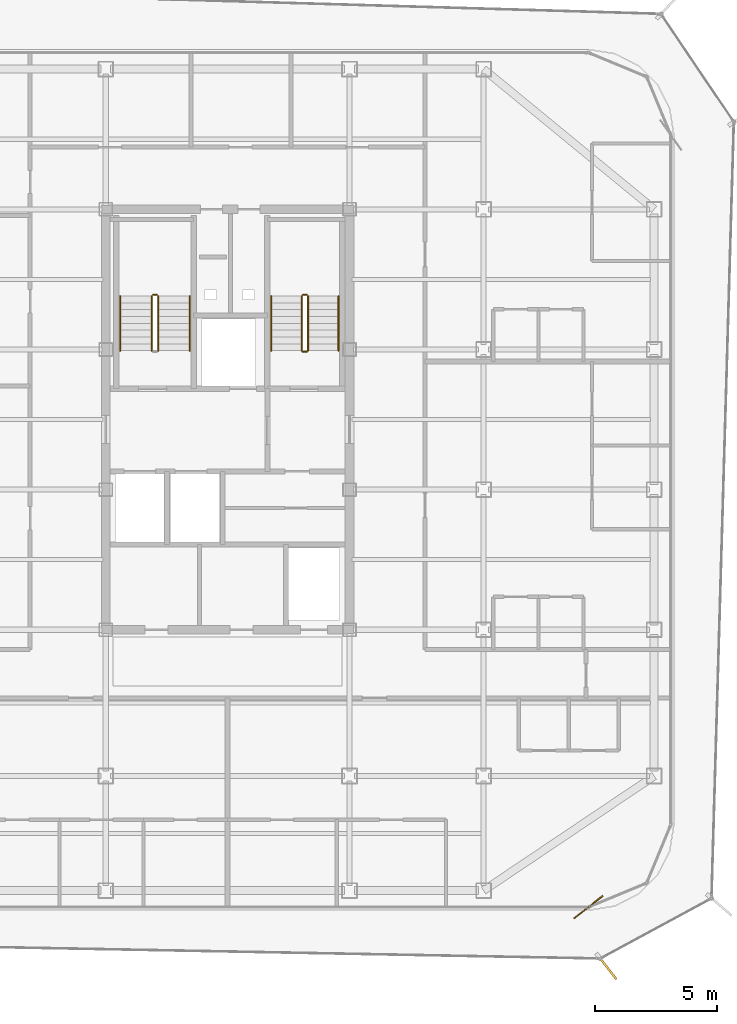
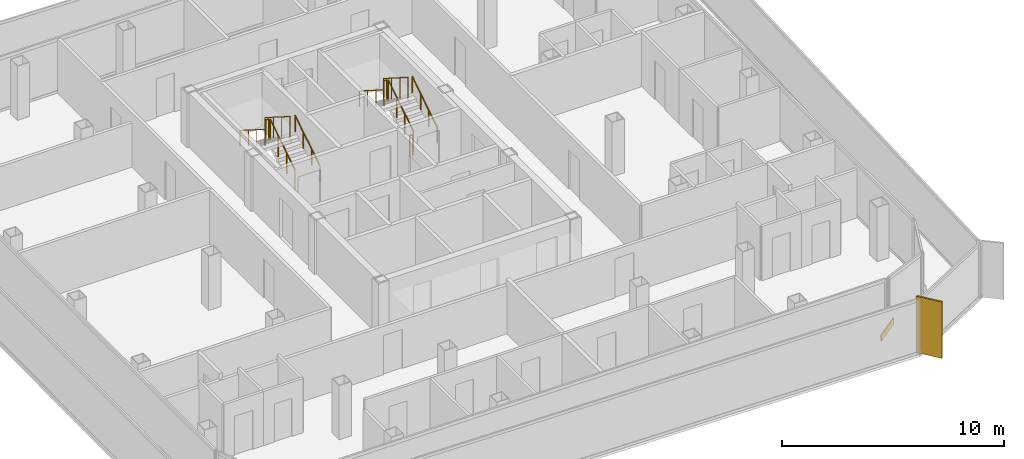
# One storey, part 14 of 15: 11 railings, 1 covering, 1 shading device.
"""IFC4 building model written with IfcOpenShell, lengths in metres."""

from ifc_helpers import new_model, si_unit, direction, frame, origin, origin_2d, place, context, subcontext, project, spatial, rectangle, circle, extrude, source, transform, mapped, material, layer, layer_set, type_object, element, save


model = new_model("IFC4")

# Units and contexts
model_context = context("Model", 3, precision=1e-05, world=origin(), true_north=direction((0.0, 1.0)))
body_context = subcontext(model_context, "Body", "Model", "MODEL_VIEW")
ifc_project = project(units=[si_unit("LENGTHUNIT", "METRE"), si_unit("AREAUNIT", "SQUARE_METRE"), si_unit("VOLUMEUNIT", "CUBIC_METRE"), si_unit("PLANEANGLEUNIT", "RADIAN"), si_unit("MASSUNIT", "GRAM", prefix="KILO")], contexts=[model_context])

# Site, building, storey
site_placement = place(None, origin())
site = spatial("IfcSite", under=ifc_project, at=site_placement, CompositionType="ELEMENT")
building_placement = place(site_placement, origin())
building = spatial("IfcBuilding", under=site, at=building_placement, Name="Kolveth Station Tower", CompositionType="ELEMENT")
storey_placement = place(building_placement, frame((0.0, 0.0, 242.5)))
storey = spatial("IfcBuildingStorey", under=building, at=storey_placement, Name="L69", CompositionType="ELEMENT", Elevation=242.5)

# Railings
ifc_material_1 = material(Name="Painted Steel S355 balustrade", Category="steel")
railing_type_1 = type_object("IfcRailingType", Name="Guard_GR2", PredefinedType="BALUSTRADE", material=ifc_material_1)
railing_1_placement = place(storey_placement, frame((20.64990234375, 22.949951171875, 0.177734375)))
element("IfcRailing", 1, at=railing_1_placement, inside=storey, type_object=railing_type_1, Name="L69 ST1 stair guard 1", PredefinedType="BALUSTRADE", context=body_context, shape_type="SweptSolid", body=[
    extrude(circle(Radius=0.02392578125, at=origin_2d()), frame((0.0, 0.0, 1.1259765625), z_axis=(0.0, 0.84418770128, 0.536047689118), x_axis=(-1.0, 0.0, 0.0)), (0.0, 0.0, 1.0), 2.6533203125),
    extrude(circle(Radius=0.02099609375, at=origin_2d()), origin(), (0.0, 0.0, 1.0), 1.101806640625),
    extrude(circle(Radius=0.02099609375, at=origin_2d()), frame((0.0, 0.74658203125, 0.47412109375)), (0.0, 0.0, 1.0), 1.101806640625),
    extrude(circle(Radius=0.02099609375, at=origin_2d()), frame((0.0, 1.493408203125, 0.9482421875)), (0.0, 0.0, 1.0), 1.101806640625),
    extrude(circle(Radius=0.02099609375, at=origin_2d()), frame((0.0, 2.239990234375, 1.42236328125)), (0.0, 0.0, 1.0), 1.101806640625),
])
railing_2_placement = place(storey_placement, frame((20.60009765625, 25.239990234375, 1.60009765625)))
element("IfcRailing", 2, at=railing_2_placement, inside=storey, type_object=railing_type_1, Name="L69 ST1 stair guard 2", PredefinedType="BALUSTRADE", context=body_context, shape_type="SweptSolid", body=[
    extrude(circle(Radius=0.02392578125, at=origin_2d()), frame((0.0, 0.0, 1.1259765625), z_axis=(-1.0, 0.0, 0.0), x_axis=(0.0, -1.0, 0.0)), (0.0, 0.0, 1.0), 0.16015625),
    extrude(circle(Radius=0.02099609375, at=origin_2d()), origin(), (0.0, 0.0, 1.0), 1.101806640625),
    extrude(circle(Radius=0.02099609375, at=origin_2d()), frame((-0.16015625, 0.0, 0.0)), (0.0, 0.0, 1.0), 1.101806640625),
])
railing_3_placement = place(storey_placement, frame((20.389892578125, 25.18994140625, 1.77783203125)))
element("IfcRailing", 3, at=railing_3_placement, inside=storey, type_object=railing_type_1, Name="L69 ST1 stair guard 3", PredefinedType="BALUSTRADE", context=body_context, shape_type="SweptSolid", body=[
    extrude(circle(Radius=0.02392578125, at=origin_2d()), frame((0.0, 0.0, 1.1259765625), z_axis=(0.0, -0.8442293374, 0.53598211339), x_axis=(1.0, 0.0, 0.0)), (0.0, 0.0, 1.0), 2.6533203125),
    extrude(circle(Radius=0.02099609375, at=origin_2d()), origin(), (0.0, 0.0, 1.0), 1.101806640625),
    extrude(circle(Radius=0.02099609375, at=origin_2d()), frame((0.0, -0.74658203125, 0.47412109375)), (0.0, 0.0, 1.0), 1.101806640625),
    extrude(circle(Radius=0.02099609375, at=origin_2d()), frame((0.0, -1.493408203125, 0.947998046875)), (0.0, 0.0, 1.0), 1.101806640625),
    extrude(circle(Radius=0.02099609375, at=origin_2d()), frame((0.0, -2.239990234375, 1.422119140625)), (0.0, 0.0, 1.0), 1.101806640625),
])
railing_4_placement = place(storey_placement, frame((26.800048828125, 22.949951171875, 0.177734375)))
element("IfcRailing", 4, at=railing_4_placement, inside=storey, type_object=railing_type_1, Name="L69 ST2 stair guard 1", PredefinedType="BALUSTRADE", context=body_context, shape_type="SweptSolid", body=[
    extrude(circle(Radius=0.02392578125, at=origin_2d()), frame((0.0, 0.0, 1.1259765625), z_axis=(0.0, 0.84418770128, 0.536047689118), x_axis=(-1.0, 0.0, 0.0)), (0.0, 0.0, 1.0), 2.6533203125),
    extrude(circle(Radius=0.02099609375, at=origin_2d()), origin(), (0.0, 0.0, 1.0), 1.101806640625),
    extrude(circle(Radius=0.02099609375, at=origin_2d()), frame((0.0, 0.74658203125, 0.47412109375)), (0.0, 0.0, 1.0), 1.101806640625),
    extrude(circle(Radius=0.02099609375, at=origin_2d()), frame((0.0, 1.493408203125, 0.9482421875)), (0.0, 0.0, 1.0), 1.101806640625),
    extrude(circle(Radius=0.02099609375, at=origin_2d()), frame((0.0, 2.239990234375, 1.42236328125)), (0.0, 0.0, 1.0), 1.101806640625),
])
railing_5_placement = place(storey_placement, frame((26.75, 25.239990234375, 1.60009765625)))
element("IfcRailing", 5, at=railing_5_placement, inside=storey, type_object=railing_type_1, Name="L69 ST2 stair guard 2", PredefinedType="BALUSTRADE", context=body_context, shape_type="SweptSolid", body=[
    extrude(circle(Radius=0.02392578125, at=origin_2d()), frame((0.0, 0.0, 1.1259765625), z_axis=(-1.0, 0.0, 0.0), x_axis=(0.0, -1.0, 0.0)), (0.0, 0.0, 1.0), 0.159912109375),
    extrude(circle(Radius=0.02099609375, at=origin_2d()), origin(), (0.0, 0.0, 1.0), 1.101806640625),
    extrude(circle(Radius=0.02099609375, at=origin_2d()), frame((-0.159912109375, 0.0, 0.0)), (0.0, 0.0, 1.0), 1.101806640625),
])
railing_6_placement = place(storey_placement, frame((26.5400390625, 25.18994140625, 1.77783203125)))
element("IfcRailing", 6, at=railing_6_placement, inside=storey, type_object=railing_type_1, Name="L69 ST2 stair guard 3", PredefinedType="BALUSTRADE", context=body_context, shape_type="SweptSolid", body=[
    extrude(circle(Radius=0.02392578125, at=origin_2d()), frame((0.0, 0.0, 1.1259765625), z_axis=(0.0, -0.8442293374, 0.53598211339), x_axis=(1.0, 0.0, 0.0)), (0.0, 0.0, 1.0), 2.6533203125),
    extrude(circle(Radius=0.02099609375, at=origin_2d()), origin(), (0.0, 0.0, 1.0), 1.101806640625),
    extrude(circle(Radius=0.02099609375, at=origin_2d()), frame((0.0, -0.74658203125, 0.47412109375)), (0.0, 0.0, 1.0), 1.101806640625),
    extrude(circle(Radius=0.02099609375, at=origin_2d()), frame((0.0, -1.493408203125, 0.947998046875)), (0.0, 0.0, 1.0), 1.101806640625),
    extrude(circle(Radius=0.02099609375, at=origin_2d()), frame((0.0, -2.239990234375, 1.422119140625)), (0.0, 0.0, 1.0), 1.101806640625),
])
railing_7_placement = place(storey_placement, frame((26.75, 22.89990234375, 0.0)))
element("IfcRailing", 7, at=railing_7_placement, inside=storey, type_object=railing_type_1, Name="L69 ST2 stair guard 4", PredefinedType="BALUSTRADE", context=body_context, shape_type="SweptSolid", body=[
    extrude(circle(Radius=0.02392578125, at=origin_2d()), frame((0.0, 0.0, 1.1259765625), z_axis=(-1.0, 0.0, 0.0), x_axis=(0.0, -1.0, 0.0)), (0.0, 0.0, 1.0), 0.159912109375),
    extrude(circle(Radius=0.02099609375, at=origin_2d()), origin(), (0.0, 0.0, 1.0), 1.101806640625),
    extrude(circle(Radius=0.02099609375, at=origin_2d()), frame((-0.159912109375, 0.0, 0.0)), (0.0, 0.0, 1.0), 1.101806640625),
])
ifc_material_2 = material(Name="Brushed stainless steel", Category="steel")
railing_type_2 = type_object("IfcRailingType", Name="Handrail_HR1", PredefinedType="HANDRAIL", material=ifc_material_2)
railing_8_placement = place(storey_placement, frame((21.949951171875, 22.949951171875, 0.177734375)))
element("IfcRailing", 8, at=railing_8_placement, inside=storey, type_object=railing_type_2, Name="L69 ST1 stair handrail 1", PredefinedType="HANDRAIL", context=body_context, shape_type="SweptSolid", body=[
    extrude(circle(Radius=0.02392578125, at=origin_2d()), frame((0.0, 0.0, 0.8759765625), z_axis=(0.0, 0.84418770128, 0.536047689118), x_axis=(-1.0, 0.0, 0.0)), (0.0, 0.0, 1.0), 2.6533203125),
    extrude(circle(Radius=0.02099609375, at=origin_2d()), origin(), (0.0, 0.0, 1.0), 0.851806640625),
    extrude(circle(Radius=0.02099609375, at=origin_2d()), frame((0.0, 0.74658203125, 0.47412109375)), (0.0, 0.0, 1.0), 0.851806640625),
    extrude(circle(Radius=0.02099609375, at=origin_2d()), frame((0.0, 1.493408203125, 0.9482421875)), (0.0, 0.0, 1.0), 0.851806640625),
    extrude(circle(Radius=0.02099609375, at=origin_2d()), frame((0.0, 2.239990234375, 1.42236328125)), (0.0, 0.0, 1.0), 0.851806640625),
])
railing_9_placement = place(storey_placement, frame((19.090087890625, 25.18994140625, 1.77783203125)))
element("IfcRailing", 9, at=railing_9_placement, inside=storey, type_object=railing_type_2, Name="L69 ST1 stair handrail 2", PredefinedType="HANDRAIL", context=body_context, shape_type="SweptSolid", body=[
    extrude(circle(Radius=0.02392578125, at=origin_2d()), frame((0.0, 0.0, 0.8759765625), z_axis=(0.0, -0.8442293374, 0.53598211339), x_axis=(1.0, 0.0, 0.0)), (0.0, 0.0, 1.0), 2.6533203125),
    extrude(circle(Radius=0.02099609375, at=origin_2d()), origin(), (0.0, 0.0, 1.0), 0.851806640625),
    extrude(circle(Radius=0.02099609375, at=origin_2d()), frame((0.0, -0.74658203125, 0.47412109375)), (0.0, 0.0, 1.0), 0.851806640625),
    extrude(circle(Radius=0.02099609375, at=origin_2d()), frame((0.0, -1.493408203125, 0.947998046875)), (0.0, 0.0, 1.0), 0.851806640625),
    extrude(circle(Radius=0.02099609375, at=origin_2d()), frame((0.0, -2.239990234375, 1.422119140625)), (0.0, 0.0, 1.0), 0.851806640625),
])
railing_10_placement = place(storey_placement, frame((28.050048828125, 22.949951171875, 0.177734375)))
element("IfcRailing", 10, at=railing_10_placement, inside=storey, type_object=railing_type_2, Name="L69 ST2 stair handrail 1", PredefinedType="HANDRAIL", context=body_context, shape_type="SweptSolid", body=[
    extrude(circle(Radius=0.02392578125, at=origin_2d()), frame((0.0, 0.0, 0.8759765625), z_axis=(0.0, 0.84418770128, 0.536047689118), x_axis=(-1.0, 0.0, 0.0)), (0.0, 0.0, 1.0), 2.6533203125),
    extrude(circle(Radius=0.02099609375, at=origin_2d()), origin(), (0.0, 0.0, 1.0), 0.851806640625),
    extrude(circle(Radius=0.02099609375, at=origin_2d()), frame((0.0, 0.74658203125, 0.47412109375)), (0.0, 0.0, 1.0), 0.851806640625),
    extrude(circle(Radius=0.02099609375, at=origin_2d()), frame((0.0, 1.493408203125, 0.9482421875)), (0.0, 0.0, 1.0), 0.851806640625),
    extrude(circle(Radius=0.02099609375, at=origin_2d()), frame((0.0, 2.239990234375, 1.42236328125)), (0.0, 0.0, 1.0), 0.851806640625),
])
railing_11_placement = place(storey_placement, frame((25.2900390625, 25.18994140625, 1.77783203125)))
element("IfcRailing", 11, at=railing_11_placement, inside=storey, type_object=railing_type_2, Name="L69 ST2 stair handrail 2", PredefinedType="HANDRAIL", context=body_context, shape_type="SweptSolid", body=[
    extrude(circle(Radius=0.02392578125, at=origin_2d()), frame((0.0, 0.0, 0.8759765625), z_axis=(0.0, -0.8442293374, 0.53598211339), x_axis=(1.0, 0.0, 0.0)), (0.0, 0.0, 1.0), 2.6533203125),
    extrude(circle(Radius=0.02099609375, at=origin_2d()), origin(), (0.0, 0.0, 1.0), 0.851806640625),
    extrude(circle(Radius=0.02099609375, at=origin_2d()), frame((0.0, -0.74658203125, 0.47412109375)), (0.0, 0.0, 1.0), 0.851806640625),
    extrude(circle(Radius=0.02099609375, at=origin_2d()), frame((0.0, -1.493408203125, 0.947998046875)), (0.0, 0.0, 1.0), 0.851806640625),
    extrude(circle(Radius=0.02099609375, at=origin_2d()), frame((0.0, -2.239990234375, 1.422119140625)), (0.0, 0.0, 1.0), 0.851806640625),
])

# Shading device
ifc_material_3 = material(Name="Black anodized aluminium 6063-T6", Category="aluminium")
shading_device_type = type_object("IfcShadingDeviceType", Name="FIN_VF1", PredefinedType="USERDEFINED", material=ifc_material_3)
shared_shape_1 = source(origin(), body_context, "Body", "SweptSolid", [
    extrude(rectangle(XDim=1.25, YDim=0.090087890625, at=origin_2d()), origin(), (0.0, 0.0, 1.0), 3.10009765625),
])
shading_device_placement = place(storey_placement, frame((39.068115234375, -2.347900390625, 0.0), z_axis=(0.0, 0.0, 1.0), x_axis=(0.614285200099, -0.789084084835, 0.0)))
element("IfcShadingDevice", 12, at=shading_device_placement, inside=storey, type_object=shading_device_type, Name="L69 Dark-Aluminium Solar Fin 1", ObjectType="FIN", PredefinedType="USERDEFINED", context=body_context, shape_type="MappedRepresentation", body=[
    mapped(shared_shape_1, transform((0.0, 0.0, 0.0), x_axis=(1.0, 0.0, 0.0), y_axis=(0.0, 1.0, 0.0), z_axis=(0.0, 0.0, 1.0), scale=1.0)),
])

# Covering
ifc_material_4 = material(Name="Charcoal anodized aluminium spandrel cladding", Category="aluminium")
ifc_layer = layer(ifc_material_4, 0.044921875)
ifc_layer_set = layer_set([ifc_layer], Name="Charcoal anodized aluminium spandrel cladding")
covering_type = type_object("IfcCoveringType", Name="Clad_CD1", PredefinedType="CLADDING", material=ifc_layer_set)
shared_shape_2 = source(origin(), body_context, "Body", "SweptSolid", [
    extrude(rectangle(XDim=1.5, YDim=0.044921875, at=origin_2d()), origin(), (0.0, 0.0, 1.0), 0.360107421875),
])
covering_placement = place(storey_placement, frame((38.300048828125, 0.1201171875, 0.0), z_axis=(0.0, 0.0, 1.0), x_axis=(0.789084084835, 0.614285200099, 0.0)))
element("IfcCovering", 13, at=covering_placement, inside=storey, type_object=covering_type, Name="L69 Spandrel Edge Cladding 1", PredefinedType="CLADDING", context=body_context, shape_type="MappedRepresentation", body=[
    mapped(shared_shape_2, transform((0.0, 0.0, 0.0), x_axis=(1.0, 0.0, 0.0), y_axis=(0.0, 1.0, 0.0), z_axis=(0.0, 0.0, 1.0), scale=1.0)),
])

save(model, "model.ifc")
